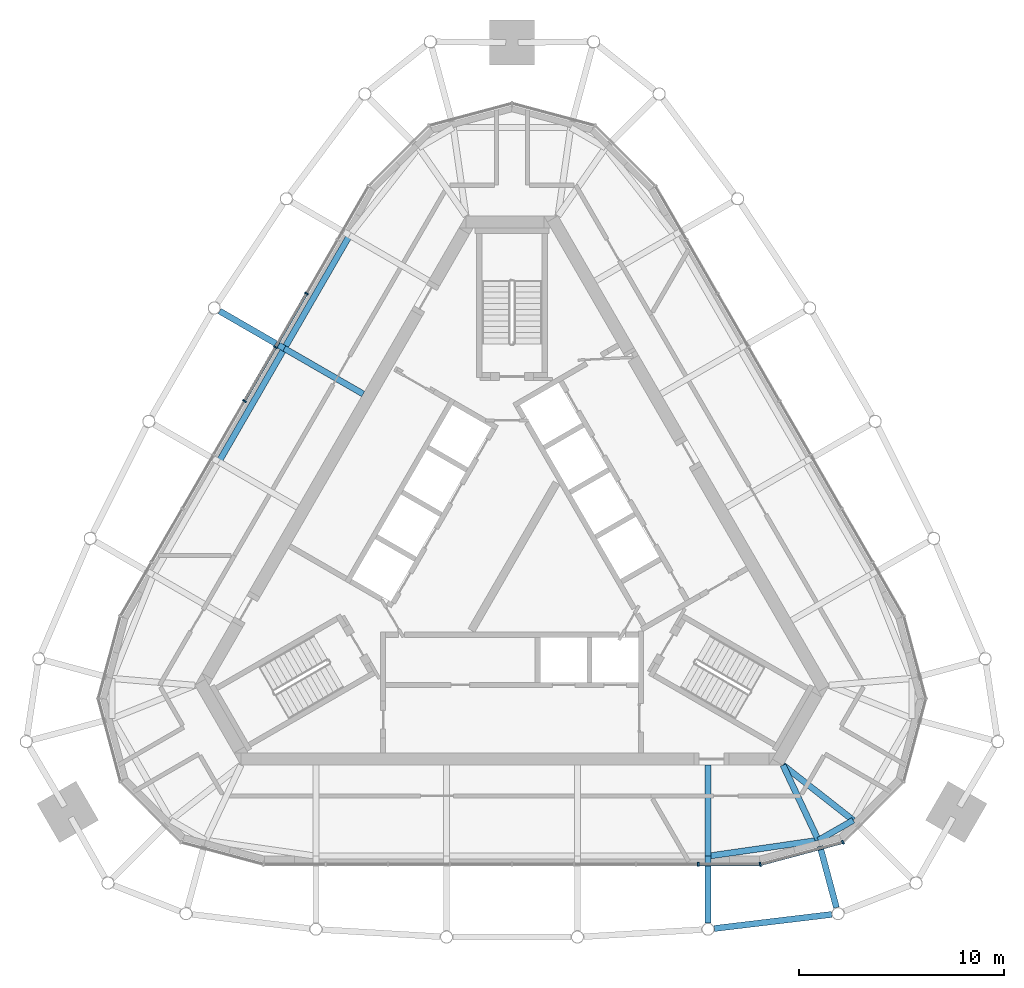
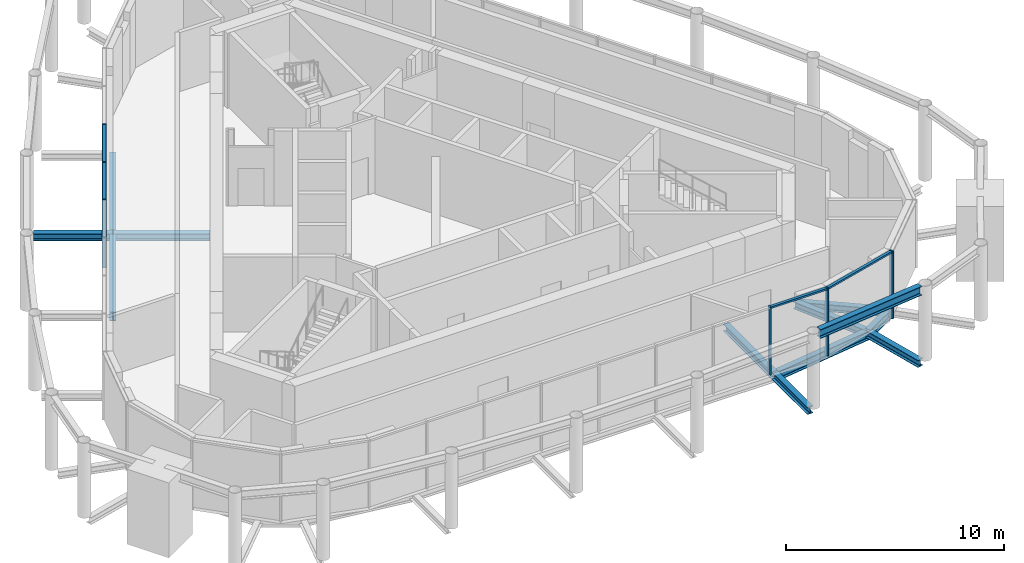
# One storey, part 3 of 11: 12 beams, 10 members, 3 elements without a shape of their own.
"""IFC4 building model written with IfcOpenShell, lengths in metres."""

from ifc_helpers import new_model, si_unit, direction, frame, origin, origin_2d, place, context, subcontext, project, spatial, rectangle, i_section, extrude, material, material_profile, profile_set, type_object, element, aggregate, save


model = new_model("IFC4")

# Units and contexts
model_context = context("Model", 3, precision=1e-05, world=origin(), true_north=direction((0.0, 1.0)))
body_context = subcontext(model_context, "Body", "Model", "MODEL_VIEW")
ifc_project = project(units=[si_unit("LENGTHUNIT", "METRE"), si_unit("AREAUNIT", "SQUARE_METRE"), si_unit("VOLUMEUNIT", "CUBIC_METRE"), si_unit("PLANEANGLEUNIT", "RADIAN"), si_unit("MASSUNIT", "GRAM", prefix="KILO")], contexts=[model_context])

# Site, building, storey
site_placement = place(None, origin())
site = spatial("IfcSite", under=ifc_project, at=site_placement, CompositionType="ELEMENT")
building_placement = place(site_placement, origin())
building = spatial("IfcBuilding", under=site, at=building_placement, Name="Mestral Congress Tower", CompositionType="ELEMENT")
storey_placement = place(building_placement, frame((0.0, 0.0, 344.39990234375)))
storey = spatial("IfcBuildingStorey", under=building, at=storey_placement, Name="L80", CompositionType="ELEMENT", Elevation=344.39990234375)

# Curtain wall, members
ifc_material_1 = material(Name="Glazed ceramic", Category="masonry")
curtain_wall_type = type_object("IfcCurtainWallType", Name="Facade plant louvre screen", PredefinedType="USERDEFINED", material=ifc_material_1)
placement = place(storey_placement, origin())
curtain_wall_1 = element("IfcCurtainWall", 1, at=placement, inside=storey, type_object=curtain_wall_type, Name="Plant louvre screen corner 1", ObjectType="CURTAIN WALL", PredefinedType="USERDEFINED")
ifc_material_2 = material(Name="Anodised aluminium", Category="aluminium")
ifc_material_profile_1 = material_profile(ifc_material_2, rectangle(XDim=0.199951171875, YDim=0.080078125, at=origin_2d()), Name="CW6 mullion 200 x 80")
ifc_profile_set_1 = profile_set([ifc_material_profile_1], Name="Anodised aluminium")
member_type_1 = type_object("IfcMemberType", Name="Facade plant louvre screen mullion", PredefinedType="MULLION", material=ifc_profile_set_1)
member_1_placement = place(storey_placement, frame((12.1376953125, -15.10009765625, 0.0), z_axis=(0.0, 0.0, 1.0), x_axis=(0.258819045103, -0.965925826289, 0.0)))
member_1 = element("IfcMember", 2, at=member_1_placement, type_object=member_type_1, Name="Facade plant louvre screen mullion", PredefinedType="MULLION", context=body_context, shape_type="SweptSolid", body=[
    extrude(rectangle(XDim=0.199951171875, YDim=0.080078125, at=origin_2d()), origin(), (0.0, 0.0, 1.0), 3.800048828125),
])
member_2_placement = place(storey_placement, frame((16.17626953125, -14.017822265625, 0.0), z_axis=(0.0, 0.0, 1.0), x_axis=(0.5, -0.866025403784, 0.0)))
member_2 = element("IfcMember", 3, at=member_2_placement, type_object=member_type_1, Name="Facade plant louvre screen mullion", PredefinedType="MULLION", context=body_context, shape_type="SweptSolid", body=[
    extrude(rectangle(XDim=0.199951171875, YDim=0.080078125, at=origin_2d()), origin(), (0.0, 0.0, 1.0), 3.800048828125),
])

curtain_wall_2 = element("IfcCurtainWall", 4, at=placement, inside=storey, type_object=curtain_wall_type, Name="Plant louvre screen side 4", ObjectType="CURTAIN WALL", PredefinedType="USERDEFINED")
member_3_placement = place(storey_placement, frame((-10.04248046875, 12.8056640625, 0.0), z_axis=(0.0, 0.0, 1.0), x_axis=(-0.866024531118, 0.500001511499, 0.0)))
member_3 = element("IfcMember", 5, at=member_3_placement, type_object=member_type_1, Name="Facade plant louvre screen mullion", PredefinedType="MULLION", context=body_context, shape_type="SweptSolid", body=[
    extrude(rectangle(XDim=0.199951171875, YDim=0.080078125, at=origin_2d()), origin(), (0.0, 0.0, 1.0), 3.800048828125),
])
member_4_placement = place(storey_placement, frame((-11.559814453125, 10.177978515625, 0.0), z_axis=(0.0, 0.0, 1.0), x_axis=(-0.866024531118, 0.500001511499, 0.0)))
member_4 = element("IfcMember", 6, at=member_4_placement, type_object=member_type_1, Name="Facade plant louvre screen mullion", PredefinedType="MULLION", context=body_context, shape_type="SweptSolid", body=[
    extrude(rectangle(XDim=0.199951171875, YDim=0.080078125, at=origin_2d()), origin(), (0.0, 0.0, 1.0), 3.800048828125),
])
member_5_placement = place(storey_placement, frame((-13.076904296875, 7.550048828125, 0.0), z_axis=(0.0, 0.0, 1.0), x_axis=(-0.866024531118, 0.500001511499, 0.0)))
member_5 = element("IfcMember", 7, at=member_5_placement, type_object=member_type_1, Name="Facade plant louvre screen mullion", PredefinedType="MULLION", context=body_context, shape_type="SweptSolid", body=[
    extrude(rectangle(XDim=0.199951171875, YDim=0.080078125, at=origin_2d()), origin(), (0.0, 0.0, 1.0), 3.800048828125),
])

# Curtain wall, member
curtain_wall_3 = element("IfcCurtainWall", 8, at=placement, inside=storey, type_object=curtain_wall_type, Name="Plant louvre screen side 6", ObjectType="CURTAIN WALL", PredefinedType="USERDEFINED")
member_6_placement = place(storey_placement, frame((9.103271484375, -15.10009765625, 0.0), z_axis=(0.0, 0.0, 1.0), x_axis=(0.0, -1.0, 0.0)))
member_6 = element("IfcMember", 9, at=member_6_placement, type_object=member_type_1, Name="Facade plant louvre screen mullion", PredefinedType="MULLION", context=body_context, shape_type="SweptSolid", body=[
    extrude(rectangle(XDim=0.199951171875, YDim=0.080078125, at=origin_2d()), origin(), (0.0, 0.0, 1.0), 3.800048828125),
])

# Member
ifc_material_profile_2 = material_profile(ifc_material_2, rectangle(XDim=0.14990234375, YDim=0.10009765625, at=origin_2d()), Name="CW6 transom 150 x 100")
ifc_profile_set_2 = profile_set([ifc_material_profile_2], Name="Anodised aluminium")
member_type_2 = type_object("IfcMemberType", Name="Facade plant louvre screen transom", PredefinedType="USERDEFINED", material=ifc_profile_set_2)
member_7_placement = place(storey_placement, frame((12.17626953125, -15.089599609375, 3.75), z_axis=(0.965932905177, 0.258792624888, 0.0), x_axis=(-0.258792624888, 0.965932905177, 0.0)))
member_7 = element("IfcMember", 10, at=member_7_placement, type_object=member_type_2, Name="Facade plant louvre screen transom", ObjectType="TRANSOM", PredefinedType="USERDEFINED", context=body_context, shape_type="SweptSolid", body=[
    extrude(rectangle(XDim=0.14990234375, YDim=0.10009765625, at=origin_2d()), origin(), (0.0, 0.0, 1.0), 4.100830078125),
])

aggregate(curtain_wall_1, [member_1, member_2, member_7])

member_8_placement = place(storey_placement, frame((-10.0625, 12.77099609375, 3.75), z_axis=(-0.50002288008, -0.866012193561, 0.0), x_axis=(0.866012193561, -0.50002288008, 0.0)))
member_8 = element("IfcMember", 11, at=member_8_placement, type_object=member_type_2, Name="Facade plant louvre screen transom", ObjectType="TRANSOM", PredefinedType="USERDEFINED", context=body_context, shape_type="SweptSolid", body=[
    extrude(rectangle(XDim=0.14990234375, YDim=0.10009765625, at=origin_2d()), origin(), (0.0, 0.0, 1.0), 2.954345703125),
])

member_9_placement = place(storey_placement, frame((-11.579833984375, 10.143310546875, 3.75), z_axis=(-0.499960902066, -0.86604797581, 0.0), x_axis=(0.86604797581, -0.499960902066, 0.0)))
member_9 = element("IfcMember", 12, at=member_9_placement, type_object=member_type_2, Name="Facade plant louvre screen transom", ObjectType="TRANSOM", PredefinedType="USERDEFINED", context=body_context, shape_type="SweptSolid", body=[
    extrude(rectangle(XDim=0.14990234375, YDim=0.10009765625, at=origin_2d()), origin(), (0.0, 0.0, 1.0), 2.954345703125),
])

aggregate(curtain_wall_2, [member_3, member_4, member_5, member_8, member_9])

member_10_placement = place(storey_placement, frame((9.143310546875, -15.10009765625, 3.75), z_axis=(1.0, 0.0, 0.0), x_axis=(0.0, 1.0, 0.0)))
member_10 = element("IfcMember", 13, at=member_10_placement, type_object=member_type_2, Name="Facade plant louvre screen transom", ObjectType="TRANSOM", PredefinedType="USERDEFINED", context=body_context, shape_type="SweptSolid", body=[
    extrude(rectangle(XDim=0.14990234375, YDim=0.10009765625, at=origin_2d()), origin(), (0.0, 0.0, 1.0), 2.954345703125),
])

aggregate(curtain_wall_3, [member_6, member_10])

# Beams
ifc_material_3 = material(Name="Steel S355", Category="steel")
ifc_material_profile_3 = material_profile(ifc_material_3, i_section(OverallWidth=0.300048828125, OverallDepth=0.39990234375, WebThickness=0.013427734375, FlangeThickness=0.02392578125, FilletRadius=0.027099609375, at=origin_2d()), Name="HEB 400")
ifc_profile_set_3 = profile_set([ifc_material_profile_3], Name="Steel S355")
beam_type_1 = type_object("IfcBeamType", Name="Floor beam HEB 400 S355", PredefinedType="BEAM", material=ifc_profile_set_3)
for number, where, z_axis, x_axis, name in (
    (14, (9.587158203125, -10.25, -0.449951171875), (0.0, -1.0, 0.0), (1.0, 0.0, 0.0), "BM-L80-KR00"),
    (15, (-7.277099609375, 7.89599609375, -0.449951171875), (-0.866036664382, 0.499980495566, 0.0), (-0.499980495566, -0.866036664382, 0.0), "BM-L80-KR10"),
):
    element("IfcBeam", number, at=place(storey_placement, frame(where, z_axis=z_axis, x_axis=x_axis)), inside=storey, type_object=beam_type_1, Name=name, PredefinedType="BEAM", context=body_context, shape_type="SweptSolid", body=[
        extrude(i_section(OverallWidth=0.300048828125, OverallDepth=0.39990234375, WebThickness=0.013427734375, FlangeThickness=0.02392578125, FilletRadius=0.027099609375, at=origin_2d()), origin(), (0.0, 0.0, 1.0), 4.449951171875),
    ])
beam_1_placement = place(storey_placement, frame((13.250244140625, -10.25, -0.449951171875), z_axis=(0.786533746493, -0.617547298292, 0.0), x_axis=(0.617547298292, 0.786533746493, 0.0)))
element("IfcBeam", 16, at=beam_1_placement, inside=storey, type_object=beam_type_1, Name="BM-L80-KR22", PredefinedType="BEAM", context=body_context, shape_type="SweptSolid", body=[
    extrude(i_section(OverallWidth=0.300048828125, OverallDepth=0.39990234375, WebThickness=0.013427734375, FlangeThickness=0.02392578125, FilletRadius=0.027099609375, at=origin_2d()), origin(), (0.0, 0.0, 1.0), 4.364501953125),
])
beam_2_placement = place(storey_placement, frame((13.250244140625, -10.25, -0.449951171875), z_axis=(0.425828884258, -0.904803714256, 0.0), x_axis=(0.904803714256, 0.425828884258, 0.0)))
element("IfcBeam", 17, at=beam_2_placement, inside=storey, type_object=beam_type_1, Name="BM-L80-KR23", PredefinedType="BEAM", context=body_context, shape_type="SweptSolid", body=[
    extrude(i_section(OverallWidth=0.300048828125, OverallDepth=0.39990234375, WebThickness=0.013427734375, FlangeThickness=0.02392578125, FilletRadius=0.027099609375, at=origin_2d()), origin(), (0.0, 0.0, 1.0), 4.060791015625),
])
beam_3_placement = place(storey_placement, frame((9.587158203125, -17.96875, -0.449951171875), z_axis=(0.0, 1.0, 0.0), x_axis=(-1.0, 0.0, 0.0)))
element("IfcBeam", 18, at=beam_3_placement, inside=storey, type_object=beam_type_1, Name="BM-L80-KT-C5-S04", PredefinedType="BEAM", context=body_context, shape_type="SweptSolid", body=[
    extrude(i_section(OverallWidth=0.300048828125, OverallDepth=0.39990234375, WebThickness=0.013427734375, FlangeThickness=0.02392578125, FilletRadius=0.027099609375, at=origin_2d()), origin(), (0.0, 0.0, 1.0), 3.268798828125),
])
beam_4_placement = place(storey_placement, frame((-14.2919921875, 11.946044921875, -0.449951171875), z_axis=(0.866011828767, -0.500023511883, 0.0), x_axis=(0.500023511883, 0.866011828767, 0.0)))
element("IfcBeam", 19, at=beam_4_placement, inside=storey, type_object=beam_type_1, Name="BM-L80-KT-C5-W02", PredefinedType="BEAM", context=body_context, shape_type="SweptSolid", body=[
    extrude(i_section(OverallWidth=0.300048828125, OverallDepth=0.39990234375, WebThickness=0.013427734375, FlangeThickness=0.02392578125, FilletRadius=0.027099609375, at=origin_2d()), origin(), (0.0, 0.0, 1.0), 3.650146484375),
])
beam_5_placement = place(storey_placement, frame((15.86181640625, -17.21728515625, -0.449951171875), z_axis=(-0.258812449793, 0.965927593473, 0.0), x_axis=(-0.965927593473, -0.258812449793, 0.0)))
element("IfcBeam", 20, at=beam_5_placement, inside=storey, type_object=beam_type_1, Name="BM-L80-KT-C5-S05", PredefinedType="BEAM", context=body_context, shape_type="SweptSolid", body=[
    extrude(i_section(OverallWidth=0.300048828125, OverallDepth=0.39990234375, WebThickness=0.013427734375, FlangeThickness=0.02392578125, FilletRadius=0.027099609375, at=origin_2d()), origin(), (0.0, 0.0, 1.0), 3.4091796875),
])
ifc_material_profile_4 = material_profile(ifc_material_3, i_section(OverallWidth=0.300048828125, OverallDepth=0.5, WebThickness=0.014404296875, FlangeThickness=0.028076171875, FilletRadius=0.027099609375, at=origin_2d()), Name="HEB 500")
ifc_profile_set_4 = profile_set([ifc_material_profile_4], Name="Steel S355")
beam_type_2 = type_object("IfcBeamType", Name="Floor beam HEB 500 S355", PredefinedType="BEAM", material=ifc_profile_set_4)
beam_6_placement = place(storey_placement, frame((-14.330322265625, 4.5791015625, -0.5), z_axis=(0.499992166441, 0.866029926444, 0.0), x_axis=(-0.866029926444, 0.499992166441, 0.0)))
element("IfcBeam", 21, at=beam_6_placement, inside=storey, type_object=beam_type_2, Name="BM-L80-KG09", PredefinedType="BEAM", context=body_context, shape_type="SweptSolid", body=[
    extrude(i_section(OverallWidth=0.300048828125, OverallDepth=0.5, WebThickness=0.014404296875, FlangeThickness=0.028076171875, FilletRadius=0.027099609375, at=origin_2d()), origin(), (0.0, 0.0, 1.0), 6.39892578125),
])
beam_7_placement = place(storey_placement, frame((-11.130859375, 10.120849609375, -0.5), z_axis=(0.500011397576, 0.866018823291, 0.0), x_axis=(-0.866018823291, 0.500011397576, 0.0)))
element("IfcBeam", 22, at=beam_7_placement, inside=storey, type_object=beam_type_2, Name="BM-L80-KG10", PredefinedType="BEAM", context=body_context, shape_type="SweptSolid", body=[
    extrude(i_section(OverallWidth=0.300048828125, OverallDepth=0.5, WebThickness=0.014404296875, FlangeThickness=0.028076171875, FilletRadius=0.027099609375, at=origin_2d()), origin(), (0.0, 0.0, 1.0), 6.387451171875),
])
beam_8_placement = place(storey_placement, frame((16.68310546875, -12.9453125, -0.5), z_axis=(-0.86703245351, -0.498251667895, 0.0), x_axis=(0.498251667895, -0.86703245351, 0.0)))
element("IfcBeam", 23, at=beam_8_placement, inside=storey, type_object=beam_type_2, Name="BM-L80-KG22", PredefinedType="BEAM", context=body_context, shape_type="SweptSolid", body=[
    extrude(i_section(OverallWidth=0.300048828125, OverallDepth=0.5, WebThickness=0.014404296875, FlangeThickness=0.028076171875, FilletRadius=0.027099609375, at=origin_2d()), origin(), (0.0, 0.0, 1.0), 1.96484375),
])
beam_9_placement = place(storey_placement, frame((14.9794921875, -13.92431640625, -0.5), z_axis=(-0.989812798939, -0.1423749383, 0.0), x_axis=(0.1423749383, -0.989812798939, 0.0)))
element("IfcBeam", 24, at=beam_9_placement, inside=storey, type_object=beam_type_2, Name="BM-L80-KG23", PredefinedType="BEAM", context=body_context, shape_type="SweptSolid", body=[
    extrude(i_section(OverallWidth=0.300048828125, OverallDepth=0.5, WebThickness=0.014404296875, FlangeThickness=0.028076171875, FilletRadius=0.027099609375, at=origin_2d()), origin(), (0.0, 0.0, 1.0), 5.44775390625),
])
beam_10_placement = place(storey_placement, frame((9.889892578125, -18.2373046875, 3.9501953125), z_axis=(0.992888208322, 0.119050433745, 0.0), x_axis=(-0.119050433745, 0.992888208322, 0.0)))
element("IfcBeam", 25, at=beam_10_placement, inside=storey, type_object=beam_type_2, Name="BM-L80-KRIM04", PredefinedType="BEAM", context=body_context, shape_type="SweptSolid", body=[
    extrude(i_section(OverallWidth=0.300048828125, OverallDepth=0.5, WebThickness=0.014404296875, FlangeThickness=0.028076171875, FilletRadius=0.027099609375, at=origin_2d()), origin(), (0.0, 0.0, 1.0), 5.789306640625),
])

save(model, "model.ifc")
